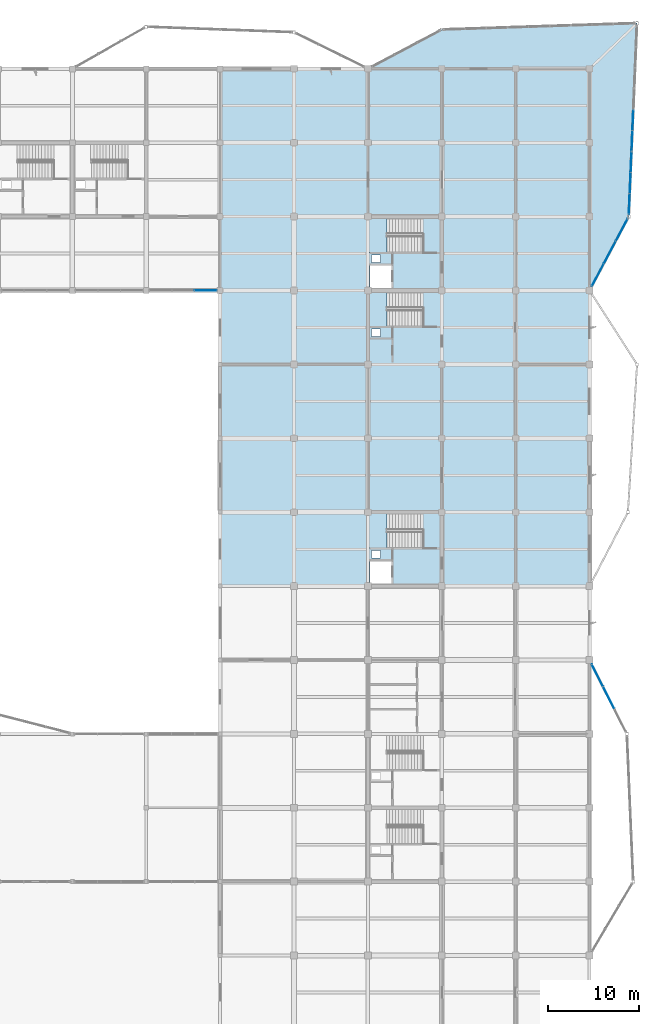
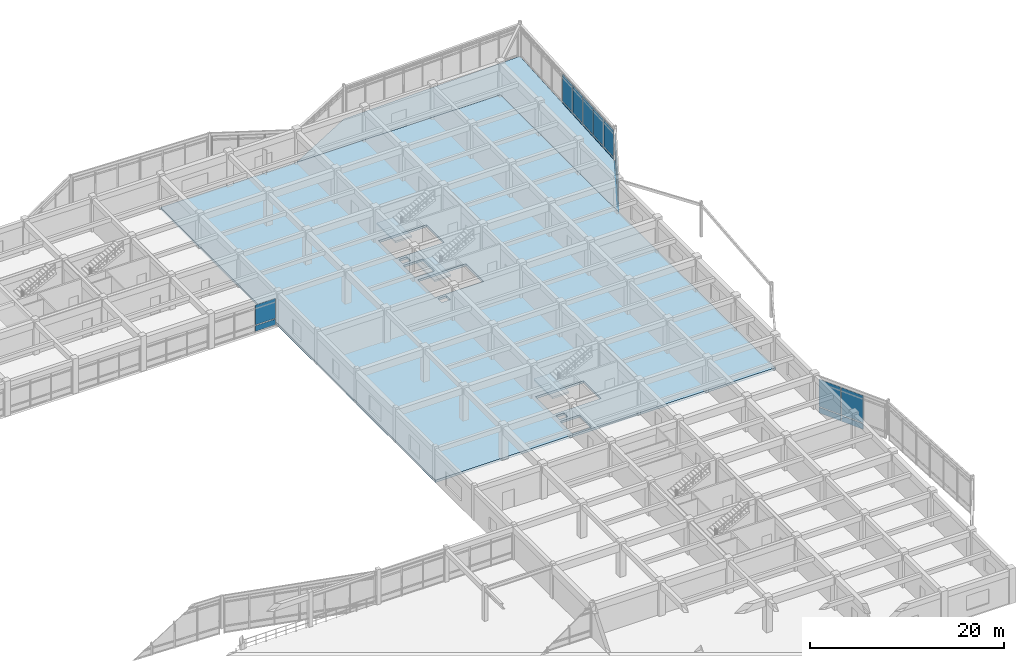
# One storey, part 56 of 89: 22 plates, 5 slabs, 8 elements without a shape of their own.
"""IFC4 building model written with IfcOpenShell, lengths in metres."""

from ifc_helpers import new_model, si_unit, direction, frame, origin, origin_2d, place, context, subcontext, project, spatial, polyline, rectangle, outline, extrude, material, layer, layer_set, type_object, element, aggregate, save


model = new_model("IFC4")

# Units and contexts
model_context = context("Model", 3, precision=1e-05, world=origin(), true_north=direction((0.0, 1.0)))
body_context = subcontext(model_context, "Body", "Model", "MODEL_VIEW")
ifc_project = project(units=[si_unit("LENGTHUNIT", "METRE"), si_unit("AREAUNIT", "SQUARE_METRE"), si_unit("VOLUMEUNIT", "CUBIC_METRE"), si_unit("PLANEANGLEUNIT", "RADIAN"), si_unit("MASSUNIT", "GRAM", prefix="KILO")], contexts=[model_context])

# Site, building, storey
site_placement = place(None, origin())
site = spatial("IfcSite", under=ifc_project, at=site_placement, CompositionType="ELEMENT")
building_placement = place(site_placement, origin())
building = spatial("IfcBuilding", under=site, at=building_placement, Name="Vaudrelin Polytechnic", CompositionType="ELEMENT")
storey_placement = place(building_placement, frame((0.0, 0.0, 9.68994140625)))
storey = spatial("IfcBuildingStorey", under=building, at=storey_placement, Name="L02", CompositionType="ELEMENT", Elevation=9.68994140625)

# Curtain wall, plate
ifc_material_1 = material(Name="Thermally broken anodised aluminium AA 6063-T6 and low-e triple glazing", Category="aluminium")
ifc_layer_1 = layer(ifc_material_1, 0.199951171875)
ifc_layer_set_1 = layer_set([ifc_layer_1], Name="Thermally broken anodised aluminium AA 6063-T6 and low-e triple glazing")
curtain_wall_type_1 = type_object("IfcCurtainWallType", Name="CW-CW-LIB", PredefinedType="USERDEFINED", material=ifc_layer_set_1)
curtain_wall_1_placement = place(storey_placement, origin())
curtain_wall_1 = element("IfcCurtainWall", 1, at=curtain_wall_1_placement, inside=storey, type_object=curtain_wall_type_1, Name="Curtain wall L02 CT_N_11", ObjectType="CURTAIN WALL", PredefinedType="USERDEFINED")
ifc_material_2 = material(Name="Insulated ceramic-frit spandrel glass panel", Category="glass")
ifc_layer_2 = layer(ifc_material_2, 0.052001953125)
ifc_layer_set_2 = layer_set([ifc_layer_2], Name="Insulated ceramic-frit spandrel glass panel")
plate_type_1 = type_object("IfcPlateType", Name="PLT-GLZ-SPAND", PredefinedType="CURTAIN_PANEL", material=ifc_layer_set_2)
plate_1_placement = place(storey_placement, frame((128.03466796875, 97.199951171875, 0.08984375), z_axis=(0.0, 0.0, 1.0), x_axis=(1.0, 0.0, 0.0)))
plate_1 = element("IfcPlate", 2, at=plate_1_placement, type_object=plate_type_1, Name="CT_N_11 spandrel panel 3", PredefinedType="CURTAIN_PANEL", context=body_context, shape_type="SweptSolid", body=[
    extrude(rectangle(XDim=2.384765625, YDim=0.052001953125, at=origin_2d()), origin(), (0.0, 0.0, 1.0), 0.699951171875),
])

# Curtain wall, plates
ifc_layer_3 = layer(ifc_material_1, 0.199951171875)
ifc_layer_set_3 = layer_set([ifc_layer_3], Name="Thermally broken anodised aluminium AA 6063-T6 and low-e triple glazing")
curtain_wall_type_2 = type_object("IfcCurtainWallType", Name="CW-CW-LAB", PredefinedType="USERDEFINED", material=ifc_layer_set_3)
curtain_wall_2_placement = place(storey_placement, origin())
curtain_wall_2 = element("IfcCurtainWall", 3, at=curtain_wall_2_placement, inside=storey, type_object=curtain_wall_type_2, Name="Curtain wall L02 NEP_3_1", ObjectType="CURTAIN WALL", PredefinedType="USERDEFINED")
plate_2_placement = place(storey_placement, frame((174.84912109375, 115.874755859375, -0.5400390625), z_axis=(0.0, 0.0, 1.0), x_axis=(-0.042405411318, -0.999100485983, 0.0)))
plate_2 = element("IfcPlate", 4, at=plate_2_placement, type_object=plate_type_1, Name="NEP_3_1 spandrel panel 2", PredefinedType="CURTAIN_PANEL", context=body_context, shape_type="SweptSolid", body=[
    extrude(rectangle(XDim=2.19921875, YDim=0.052001953125, at=origin_2d()), origin(), (0.0, 0.0, 1.0), 0.699951171875),
])
plate_3_placement = place(storey_placement, frame((174.75146484375, 113.577392578125, -0.5400390625), z_axis=(0.0, 0.0, 1.0), x_axis=(-0.042405411318, -0.999100485983, 0.0)))
plate_3 = element("IfcPlate", 5, at=plate_3_placement, type_object=plate_type_1, Name="NEP_3_1 spandrel panel 3", PredefinedType="CURTAIN_PANEL", context=body_context, shape_type="SweptSolid", body=[
    extrude(rectangle(XDim=2.19921875, YDim=0.052001953125, at=origin_2d()), origin(), (0.0, 0.0, 1.0), 0.699951171875),
])

curtain_wall_3_placement = place(storey_placement, origin())
curtain_wall_3 = element("IfcCurtainWall", 6, at=curtain_wall_3_placement, inside=storey, type_object=curtain_wall_type_2, Name="Curtain wall L02 NEP_3_2", ObjectType="CURTAIN WALL", PredefinedType="USERDEFINED")
plate_4_placement = place(storey_placement, frame((174.65380859375, 111.2802734375, -0.5400390625), z_axis=(0.0, 0.0, 1.0), x_axis=(-0.042419882824, -0.999099871655, 0.0)))
plate_4 = element("IfcPlate", 7, at=plate_4_placement, type_object=plate_type_1, Name="NEP_3_2 spandrel panel 1", PredefinedType="CURTAIN_PANEL", context=body_context, shape_type="SweptSolid", body=[
    extrude(rectangle(XDim=2.19921875, YDim=0.052001953125, at=origin_2d()), origin(), (0.0, 0.0, 1.0), 0.699951171875),
])
plate_5_placement = place(storey_placement, frame((174.556396484375, 108.983154296875, -0.5400390625), z_axis=(0.0, 0.0, 1.0), x_axis=(-0.042419882824, -0.999099871655, 0.0)))
plate_5 = element("IfcPlate", 8, at=plate_5_placement, type_object=plate_type_1, Name="NEP_3_2 spandrel panel 2", PredefinedType="CURTAIN_PANEL", context=body_context, shape_type="SweptSolid", body=[
    extrude(rectangle(XDim=2.19921875, YDim=0.052001953125, at=origin_2d()), origin(), (0.0, 0.0, 1.0), 0.699951171875),
])
plate_6_placement = place(storey_placement, frame((174.458984375, 106.68603515625, -0.5400390625), z_axis=(0.0, 0.0, 1.0), x_axis=(-0.042419882824, -0.999099871655, 0.0)))
plate_6 = element("IfcPlate", 9, at=plate_6_placement, type_object=plate_type_1, Name="NEP_3_2 spandrel panel 3", PredefinedType="CURTAIN_PANEL", context=body_context, shape_type="SweptSolid", body=[
    extrude(rectangle(XDim=2.19921875, YDim=0.052001953125, at=origin_2d()), origin(), (0.0, 0.0, 1.0), 0.699951171875),
])

curtain_wall_4_placement = place(storey_placement, origin())
curtain_wall_4 = element("IfcCurtainWall", 10, at=curtain_wall_4_placement, inside=storey, type_object=curtain_wall_type_2, Name="Curtain wall L02 NEP_4_0", ObjectType="CURTAIN WALL", PredefinedType="USERDEFINED")
plate_7_placement = place(storey_placement, frame((173.62255859375, 103.83544921875, -0.5400390625), z_axis=(0.0, 0.0, 1.0), x_axis=(-0.468895635288, -0.88325357809, 0.0)))
plate_7 = element("IfcPlate", 11, at=plate_7_placement, type_object=plate_type_1, Name="NEP_4_0 spandrel panel 1", PredefinedType="CURTAIN_PANEL", context=body_context, shape_type="SweptSolid", body=[
    extrude(rectangle(XDim=2.701171875, YDim=0.052001953125, at=origin_2d()), origin(), (0.0, 0.0, 1.0), 0.699951171875),
])
plate_8_placement = place(storey_placement, frame((172.30908203125, 101.361083984375, -0.5400390625), z_axis=(0.0, 0.0, 1.0), x_axis=(-0.468895635288, -0.88325357809, 0.0)))
plate_8 = element("IfcPlate", 12, at=plate_8_placement, type_object=plate_type_1, Name="NEP_4_0 spandrel panel 2", PredefinedType="CURTAIN_PANEL", context=body_context, shape_type="SweptSolid", body=[
    extrude(rectangle(XDim=2.701171875, YDim=0.052001953125, at=origin_2d()), origin(), (0.0, 0.0, 1.0), 0.699951171875),
])
plate_9_placement = place(storey_placement, frame((170.99560546875, 98.88720703125, -0.5400390625), z_axis=(0.0, 0.0, 1.0), x_axis=(-0.468895635288, -0.88325357809, 0.0)))
plate_9 = element("IfcPlate", 13, at=plate_9_placement, type_object=plate_type_1, Name="NEP_4_0 spandrel panel 3", PredefinedType="CURTAIN_PANEL", context=body_context, shape_type="SweptSolid", body=[
    extrude(rectangle(XDim=2.701171875, YDim=0.052001953125, at=origin_2d()), origin(), (0.0, 0.0, 1.0), 0.699951171875),
])

curtain_wall_5_placement = place(storey_placement, origin())
curtain_wall_5 = element("IfcCurtainWall", 14, at=curtain_wall_5_placement, inside=storey, type_object=curtain_wall_type_2, Name="Curtain wall L02 E_OR1_3_0", ObjectType="CURTAIN WALL", PredefinedType="USERDEFINED")
plate_10_placement = place(storey_placement, frame((172.206298828125, 52.538818359375, -0.5400390625), z_axis=(0.0, 0.0, 1.0), x_axis=(-0.451608607789, 0.892216153951, 0.0)))
plate_10 = element("IfcPlate", 15, at=plate_10_placement, type_object=plate_type_1, Name="E_OR1_3_0 spandrel panel 2", PredefinedType="CURTAIN_PANEL", context=body_context, shape_type="SweptSolid", body=[
    extrude(rectangle(XDim=2.672607421875, YDim=0.052001953125, at=origin_2d()), origin(), (0.0, 0.0, 1.0), 0.699951171875),
])
plate_11_placement = place(storey_placement, frame((170.9541015625, 55.012451171875, -0.5400390625), z_axis=(0.0, 0.0, 1.0), x_axis=(-0.451608607789, 0.892216153951, 0.0)))
plate_11 = element("IfcPlate", 16, at=plate_11_placement, type_object=plate_type_1, Name="E_OR1_3_0 spandrel panel 3", PredefinedType="CURTAIN_PANEL", context=body_context, shape_type="SweptSolid", body=[
    extrude(rectangle(XDim=2.672607421875, YDim=0.052001953125, at=origin_2d()), origin(), (0.0, 0.0, 1.0), 0.699951171875),
])

# Plate
ifc_material_3 = material(Name="Triple low-e argon insulated glazing unit", Category="glass")
ifc_layer_4 = layer(ifc_material_3, 0.0439453125)
ifc_layer_set_4 = layer_set([ifc_layer_4], Name="Triple low-e argon insulated glazing unit")
plate_type_2 = type_object("IfcPlateType", Name="PLT-GLZ-TRIPLE", PredefinedType="CURTAIN_PANEL", material=ifc_layer_set_4)
plate_12_placement = place(storey_placement, frame((128.03466796875, 97.199951171875, 0.89990234375), z_axis=(0.0, 0.0, 1.0), x_axis=(1.0, 0.0, 0.0)))
plate_12 = element("IfcPlate", 17, at=plate_12_placement, type_object=plate_type_2, Name="CT_N_11 vision panel 3", PredefinedType="CURTAIN_PANEL", context=body_context, shape_type="SweptSolid", body=[
    extrude(rectangle(XDim=2.384765625, YDim=0.0439453125, at=origin_2d()), origin(), (0.0, 0.0, 1.0), 2.491943359375),
])

aggregate(curtain_wall_1, [plate_1, plate_12])

plate_13_placement = place(storey_placement, frame((174.84912109375, 115.874755859375, 0.27001953125), z_axis=(0.0, 0.0, 1.0), x_axis=(-0.042405411318, -0.999100485983, 0.0)))
plate_13 = element("IfcPlate", 18, at=plate_13_placement, type_object=plate_type_2, Name="NEP_3_1 vision panel 2", PredefinedType="CURTAIN_PANEL", context=body_context, shape_type="SweptSolid", body=[
    extrude(rectangle(XDim=2.19921875, YDim=0.0439453125, at=origin_2d()), origin(), (0.0, 0.0, 1.0), 3.43994140625),
])

plate_14_placement = place(storey_placement, frame((174.75146484375, 113.577392578125, 0.27001953125), z_axis=(0.0, 0.0, 1.0), x_axis=(-0.042405411318, -0.999100485983, 0.0)))
plate_14 = element("IfcPlate", 19, at=plate_14_placement, type_object=plate_type_2, Name="NEP_3_1 vision panel 3", PredefinedType="CURTAIN_PANEL", context=body_context, shape_type="SweptSolid", body=[
    extrude(rectangle(XDim=2.19921875, YDim=0.0439453125, at=origin_2d()), origin(), (0.0, 0.0, 1.0), 3.43994140625),
])

aggregate(curtain_wall_2, [plate_2, plate_13, plate_3, plate_14])

plate_15_placement = place(storey_placement, frame((174.65380859375, 111.2802734375, 0.27001953125), z_axis=(0.0, 0.0, 1.0), x_axis=(-0.042419882824, -0.999099871655, 0.0)))
plate_15 = element("IfcPlate", 20, at=plate_15_placement, type_object=plate_type_2, Name="NEP_3_2 vision panel 1", PredefinedType="CURTAIN_PANEL", context=body_context, shape_type="SweptSolid", body=[
    extrude(rectangle(XDim=2.19921875, YDim=0.0439453125, at=origin_2d()), origin(), (0.0, 0.0, 1.0), 3.43994140625),
])

plate_16_placement = place(storey_placement, frame((174.556396484375, 108.983154296875, 0.27001953125), z_axis=(0.0, 0.0, 1.0), x_axis=(-0.042419882824, -0.999099871655, 0.0)))
plate_16 = element("IfcPlate", 21, at=plate_16_placement, type_object=plate_type_2, Name="NEP_3_2 vision panel 2", PredefinedType="CURTAIN_PANEL", context=body_context, shape_type="SweptSolid", body=[
    extrude(rectangle(XDim=2.19921875, YDim=0.0439453125, at=origin_2d()), origin(), (0.0, 0.0, 1.0), 3.43994140625),
])

plate_17_placement = place(storey_placement, frame((174.458984375, 106.68603515625, 0.27001953125), z_axis=(0.0, 0.0, 1.0), x_axis=(-0.042419882824, -0.999099871655, 0.0)))
plate_17 = element("IfcPlate", 22, at=plate_17_placement, type_object=plate_type_2, Name="NEP_3_2 vision panel 3", PredefinedType="CURTAIN_PANEL", context=body_context, shape_type="SweptSolid", body=[
    extrude(rectangle(XDim=2.19921875, YDim=0.0439453125, at=origin_2d()), origin(), (0.0, 0.0, 1.0), 3.43994140625),
])

aggregate(curtain_wall_3, [plate_4, plate_15, plate_5, plate_16, plate_6, plate_17])

plate_18_placement = place(storey_placement, frame((173.62255859375, 103.83544921875, 0.27001953125), z_axis=(0.0, 0.0, 1.0), x_axis=(-0.468895635288, -0.88325357809, 0.0)))
plate_18 = element("IfcPlate", 23, at=plate_18_placement, type_object=plate_type_2, Name="NEP_4_0 vision panel 1", PredefinedType="CURTAIN_PANEL", context=body_context, shape_type="SweptSolid", body=[
    extrude(rectangle(XDim=2.701171875, YDim=0.0439453125, at=origin_2d()), origin(), (0.0, 0.0, 1.0), 3.43994140625),
])

plate_19_placement = place(storey_placement, frame((172.30908203125, 101.361083984375, 0.27001953125), z_axis=(0.0, 0.0, 1.0), x_axis=(-0.468895635288, -0.88325357809, 0.0)))
plate_19 = element("IfcPlate", 24, at=plate_19_placement, type_object=plate_type_2, Name="NEP_4_0 vision panel 2", PredefinedType="CURTAIN_PANEL", context=body_context, shape_type="SweptSolid", body=[
    extrude(rectangle(XDim=2.701171875, YDim=0.0439453125, at=origin_2d()), origin(), (0.0, 0.0, 1.0), 3.43994140625),
])

plate_20_placement = place(storey_placement, frame((170.99560546875, 98.88720703125, 0.27001953125), z_axis=(0.0, 0.0, 1.0), x_axis=(-0.468895635288, -0.88325357809, 0.0)))
plate_20 = element("IfcPlate", 25, at=plate_20_placement, type_object=plate_type_2, Name="NEP_4_0 vision panel 3", PredefinedType="CURTAIN_PANEL", context=body_context, shape_type="SweptSolid", body=[
    extrude(rectangle(XDim=2.701171875, YDim=0.0439453125, at=origin_2d()), origin(), (0.0, 0.0, 1.0), 3.43994140625),
])

aggregate(curtain_wall_4, [plate_7, plate_18, plate_8, plate_19, plate_9, plate_20])

plate_21_placement = place(storey_placement, frame((172.206298828125, 52.538818359375, 0.27001953125), z_axis=(0.0, 0.0, 1.0), x_axis=(-0.451608607789, 0.892216153951, 0.0)))
plate_21 = element("IfcPlate", 26, at=plate_21_placement, type_object=plate_type_2, Name="E_OR1_3_0 vision panel 2", PredefinedType="CURTAIN_PANEL", context=body_context, shape_type="SweptSolid", body=[
    extrude(rectangle(XDim=2.672607421875, YDim=0.0439453125, at=origin_2d()), origin(), (0.0, 0.0, 1.0), 3.43994140625),
])

plate_22_placement = place(storey_placement, frame((170.9541015625, 55.012451171875, 0.27001953125), z_axis=(0.0, 0.0, 1.0), x_axis=(-0.451608607789, 0.892216153951, 0.0)))
plate_22 = element("IfcPlate", 27, at=plate_22_placement, type_object=plate_type_2, Name="E_OR1_3_0 vision panel 3", PredefinedType="CURTAIN_PANEL", context=body_context, shape_type="SweptSolid", body=[
    extrude(rectangle(XDim=2.672607421875, YDim=0.0439453125, at=origin_2d()), origin(), (0.0, 0.0, 1.0), 3.43994140625),
])

aggregate(curtain_wall_5, [plate_10, plate_21, plate_11, plate_22])

# Stair, slab
ifc_material_4 = material(Name="Concrete 35 MPa", Category="concrete")
stair_type = type_object("IfcStairType", Name="STR-ST-CORE", PredefinedType="TWO_STRAIGHT_RUN_STAIR", material=ifc_material_4)
stair_1_placement = place(storey_placement, origin())
stair_1 = element("IfcStair", 28, at=stair_1_placement, inside=storey, type_object=stair_type, Name="Exit stair ST-06-L02", PredefinedType="TWO_STRAIGHT_RUN_STAIR")
ifc_layer_5 = layer(ifc_material_4, 0.219970703125)
ifc_layer_set_5 = layer_set([ifc_layer_5], Name="Concrete 35 MPa")
slab_type_1 = type_object("IfcSlabType", Name="SLB-LND220", PredefinedType="LANDING", material=ifc_layer_set_5)
slab_1_placement = place(storey_placement, frame((0.0, 0.0, 1.989990234375)))
slab_1 = element("IfcSlab", 29, at=slab_1_placement, type_object=slab_type_1, Name="ST-06-L02 landing 1", PredefinedType="LANDING", context=body_context, shape_type="SweptSolid", body=[
    extrude(outline(polyline([(145.93994140625, 101.360107421875), (147.909912109375, 101.360107421875), (147.909912109375, 105.199951171875), (145.93994140625, 105.199951171875), (145.93994140625, 101.360107421875)])), origin(), (0.0, 0.0, 1.0), 0.219970703125),
])
aggregate(stair_1, [slab_1])

stair_2_placement = place(storey_placement, origin())
stair_2 = element("IfcStair", 30, at=stair_2_placement, inside=storey, type_object=stair_type, Name="Exit stair ST-07-L02", PredefinedType="TWO_STRAIGHT_RUN_STAIR")
slab_2_placement = place(storey_placement, frame((0.0, 0.0, 1.989990234375)))
slab_2 = element("IfcSlab", 31, at=slab_2_placement, type_object=slab_type_1, Name="ST-07-L02 landing 1", PredefinedType="LANDING", context=body_context, shape_type="SweptSolid", body=[
    extrude(outline(polyline([(145.93994140625, 68.9599609375), (147.909912109375, 68.9599609375), (147.909912109375, 72.800048828125), (145.93994140625, 72.800048828125), (145.93994140625, 68.9599609375)])), origin(), (0.0, 0.0, 1.0), 0.219970703125),
])
aggregate(stair_2, [slab_2])

stair_3_placement = place(storey_placement, origin())
stair_3 = element("IfcStair", 32, at=stair_3_placement, inside=storey, type_object=stair_type, Name="Exit stair ST-13-L02", PredefinedType="TWO_STRAIGHT_RUN_STAIR")
slab_3_placement = place(storey_placement, frame((0.0, 0.0, 1.989990234375)))
slab_3 = element("IfcSlab", 33, at=slab_3_placement, type_object=slab_type_1, Name="ST-13-L02 landing 1", PredefinedType="LANDING", context=body_context, shape_type="SweptSolid", body=[
    extrude(outline(polyline([(145.93994140625, 93.260009765625), (147.909912109375, 93.260009765625), (147.909912109375, 97.10009765625), (145.93994140625, 97.10009765625), (145.93994140625, 93.260009765625)])), origin(), (0.0, 0.0, 1.0), 0.219970703125),
])
aggregate(stair_3, [slab_3])

# Slabs
ifc_layer_6 = layer(ifc_material_4, 0.280029296875)
ifc_layer_set_6 = layer_set([ifc_layer_6], Name="Concrete 35 MPa")
slab_type_2 = type_object("IfcSlabType", Name="SLB-SL-F280", PredefinedType="FLOOR", material=ifc_layer_set_6)
slab_4_placement = place(storey_placement, frame((0.0, 0.0, -0.280029296875)))
element("IfcSlab", 34, at=slab_4_placement, inside=storey, type_object=slab_type_2, Name="L02 floor slab V4-N", PredefinedType="FLOOR", context=body_context, shape_type="SweptSolid", body=[
    extrude(outline(polyline([(129.60009765625, 64.800048828125), (170.10009765625, 64.800048828125), (170.10009765625, 121.5), (129.60009765625, 121.5), (129.60009765625, 64.800048828125)]), holes=[polyline([(146.050048828125, 101.409912109375), (151.800048828125, 101.409912109375), (151.800048828125, 105.050048828125), (146.050048828125, 105.050048828125), (146.050048828125, 101.409912109375)]), polyline([(146.050048828125, 97.449951171875), (148.3798828125, 97.449951171875), (148.3798828125, 99.929931640625), (146.050048828125, 99.929931640625), (146.050048828125, 97.449951171875)]), polyline([(146.179931640625, 100.280029296875), (147.179931640625, 100.280029296875), (147.179931640625, 101.080078125), (146.179931640625, 101.080078125), (146.179931640625, 100.280029296875)]), polyline([(146.050048828125, 69.010009765625), (151.800048828125, 69.010009765625), (151.800048828125, 72.64990234375), (146.050048828125, 72.64990234375), (146.050048828125, 69.010009765625)]), polyline([(146.050048828125, 65.050048828125), (148.3798828125, 65.050048828125), (148.3798828125, 67.530029296875), (146.050048828125, 67.530029296875), (146.050048828125, 65.050048828125)]), polyline([(146.179931640625, 67.8798828125), (147.179931640625, 67.8798828125), (147.179931640625, 68.679931640625), (146.179931640625, 68.679931640625), (146.179931640625, 67.8798828125)]), polyline([(146.050048828125, 93.31005859375), (151.800048828125, 93.31005859375), (151.800048828125, 96.949951171875), (146.050048828125, 96.949951171875), (146.050048828125, 93.31005859375)]), polyline([(146.179931640625, 92.179931640625), (147.179931640625, 92.179931640625), (147.179931640625, 92.97998046875), (146.179931640625, 92.97998046875), (146.179931640625, 92.179931640625)])]), origin(), (0.0, 0.0, 1.0), 0.280029296875),
])
slab_5_placement = place(storey_placement, frame((0.0, 0.0, -0.280029296875)))
element("IfcSlab", 35, at=slab_5_placement, inside=storey, type_object=slab_type_2, Name="NE innovation prow floor slab L02", PredefinedType="FLOOR", context=body_context, shape_type="SweptSolid", body=[
    extrude(outline(polyline([(145.800048828125, 121.5), (153.89990234375, 125.800048828125), (175.300048828125, 126.5), (174.39990234375, 105.300048828125), (170.10009765625, 97.199951171875), (170.10009765625, 121.5), (145.800048828125, 121.5)])), origin(), (0.0, 0.0, 1.0), 0.280029296875),
])

save(model, "model.ifc")
